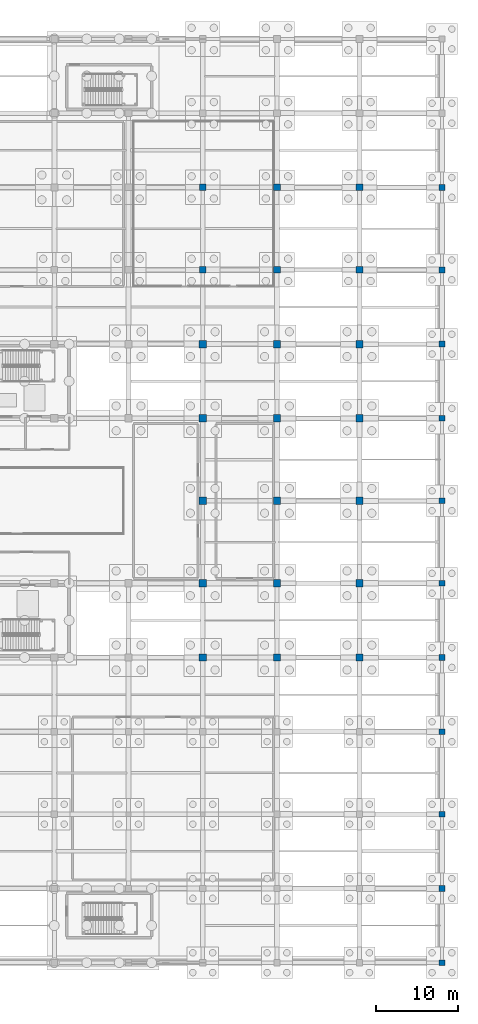
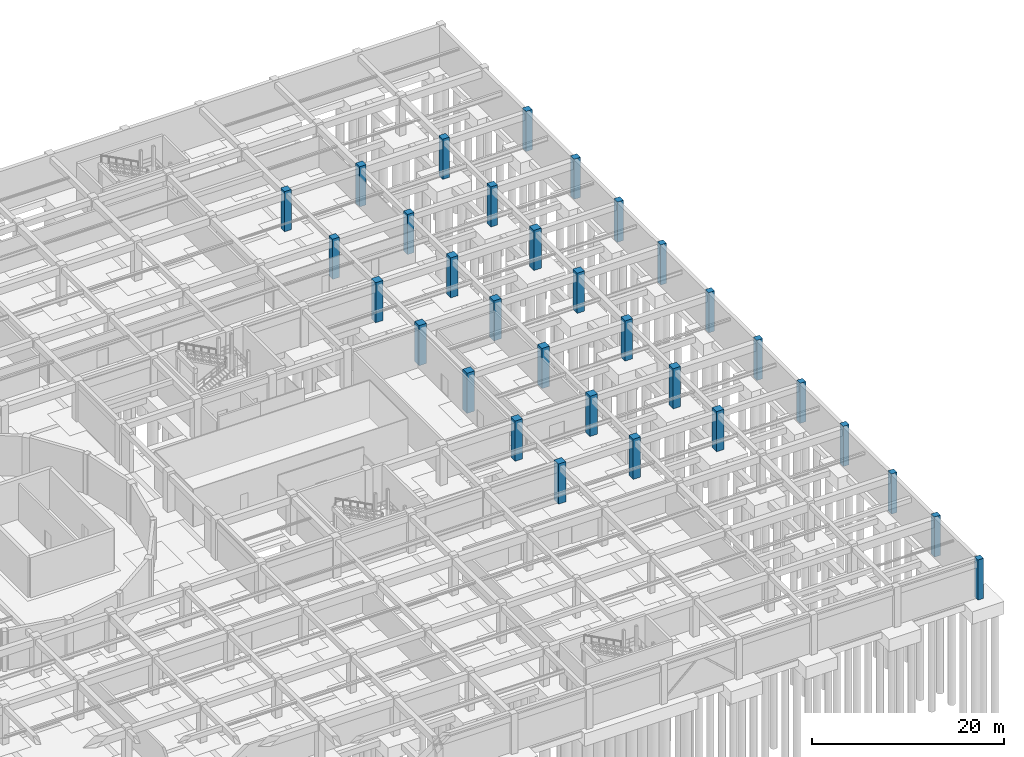
# One storey, part 26 of 62: 32 columns.
"""IFC4 building model written with IfcOpenShell, lengths in metres."""

from ifc_helpers import new_model, si_unit, direction, frame, origin, origin_2d, place, context, subcontext, project, spatial, rectangle, extrude, material, material_profile, profile_set, type_object, element, save


model = new_model("IFC4")

# Units and contexts
model_context = context("Model", 3, precision=1e-05, world=origin(), true_north=direction((0.0, 1.0)))
body_context = subcontext(model_context, "Body", "Model", "MODEL_VIEW")
ifc_project = project(units=[si_unit("LENGTHUNIT", "METRE"), si_unit("AREAUNIT", "SQUARE_METRE"), si_unit("VOLUMEUNIT", "CUBIC_METRE"), si_unit("PLANEANGLEUNIT", "RADIAN"), si_unit("MASSUNIT", "GRAM", prefix="KILO")], contexts=[model_context])

# Site, building, storey
site_placement = place(None, origin())
site = spatial("IfcSite", under=ifc_project, at=site_placement, CompositionType="ELEMENT")
building_placement = place(site_placement, origin())
building = spatial("IfcBuilding", under=site, at=building_placement, Name="Miravela Opera House", CompositionType="ELEMENT")
storey_placement = place(building_placement, frame((0.0, 0.0, -5.10009765625)))
storey = spatial("IfcBuildingStorey", under=building, at=storey_placement, Name="B01", CompositionType="ELEMENT", Elevation=-5.10009765625)

# Columns
ifc_material_1 = material(Name="Concrete C35/45", Category="concrete")
ifc_material_profile_1 = material_profile(ifc_material_1, rectangle(XDim=0.699951171875, YDim=0.699951171875, at=origin_2d()), Name="RC-COL-700X700")
ifc_profile_set_1 = profile_set([ifc_material_profile_1])
column_type_1 = type_object("IfcColumnType", Name="STR-COL-RC700", PredefinedType="COLUMN", material=ifc_profile_set_1)
for number, where, z_axis, x_axis, name in (
    (1, (164.0, 0.0, 0.0), (0.0, 0.0, 1.0), (1.0, 0.0, 0.0), "Column C-19A (B01)"),
    (2, (164.0, 9.0, 0.0), (0.0, 0.0, 1.0), (1.0, 0.0, 0.0), "Column C-19B (B01)"),
    (3, (164.0, 18.0, 0.0), (0.0, 0.0, 1.0), (1.0, 0.0, 0.0), "Column C-19C (B01)"),
    (4, (164.0, 28.0, 0.0), (0.0, 0.0, 1.0), (1.0, 0.0, 0.0), "Column C-19D (B01)"),
    (5, (164.0, 37.0, 0.0), (0.0, 0.0, 1.0), (1.0, 0.0, 0.0), "Column C-19E (B01)"),
    (6, (164.0, 46.0, 0.0), (0.0, 0.0, 1.0), (1.0, 0.0, 0.0), "Column C-19F (B01)"),
    (7, (164.0, 56.0, 0.0), (0.0, 0.0, 1.0), (1.0, 0.0, 0.0), "Column C-19G (B01)"),
    (8, (164.0, 66.0, 0.0), (0.0, 0.0, 1.0), (1.0, 0.0, 0.0), "Column C-19H (B01)"),
):
    element("IfcColumn", number, at=place(storey_placement, frame(where, z_axis=z_axis, x_axis=x_axis)), inside=storey, type_object=column_type_1, Name=name, PredefinedType="COLUMN", context=body_context, shape_type="SweptSolid", body=[
        extrude(rectangle(XDim=0.699951171875, YDim=0.699951171875, at=origin_2d()), origin(), (0.0, 0.0, 1.0), 5.10009765625),
    ])
ifc_material_profile_2 = material_profile(ifc_material_1, rectangle(XDim=0.75, YDim=0.75, at=origin_2d()), Name="RC-COL-750X750")
ifc_profile_set_2 = profile_set([ifc_material_profile_2])
column_type_2 = type_object("IfcColumnType", Name="STR-COL-RC750", PredefinedType="COLUMN", material=ifc_profile_set_2)
for number, where, z_axis, x_axis, name in (
    (9, (164.0, 75.0, 0.0), (0.0, 0.0, 1.0), (1.0, 0.0, 0.0), "Column C-19I (B01)"),
    (10, (164.0, 84.0, 0.0), (0.0, 0.0, 1.0), (1.0, 0.0, 0.0), "Column C-19J (B01)"),
    (11, (164.0, 94.0, 0.0), (0.0, 0.0, 1.0), (1.0, 0.0, 0.0), "Column C-19K (B01)"),
):
    element("IfcColumn", number, at=place(storey_placement, frame(where, z_axis=z_axis, x_axis=x_axis)), inside=storey, type_object=column_type_2, Name=name, PredefinedType="COLUMN", context=body_context, shape_type="SweptSolid", body=[
        extrude(rectangle(XDim=0.75, YDim=0.75, at=origin_2d()), origin(), (0.0, 0.0, 1.0), 5.10009765625),
    ])
ifc_material_2 = material(Name="Concrete C40/50", Category="concrete")
ifc_material_profile_3 = material_profile(ifc_material_2, rectangle(XDim=0.800048828125, YDim=0.800048828125, at=origin_2d()), Name="RC-COL-800X800")
ifc_profile_set_3 = profile_set([ifc_material_profile_3])
column_type_3 = type_object("IfcColumnType", Name="STR-COL-RC800", PredefinedType="COLUMN", material=ifc_profile_set_3)
for number, where, z_axis, x_axis, name in (
    (12, (135.0, 84.0, 0.0), (0.0, 0.0, 1.0), (1.0, 0.0, 0.0), "Column C-16J (B01)"),
    (13, (135.0, 94.0, 0.0), (0.0, 0.0, 1.0), (1.0, 0.0, 0.0), "Column C-16K (B01)"),
    (14, (144.0, 84.0, 0.0), (0.0, 0.0, 1.0), (1.0, 0.0, 0.0), "Column C-17J (B01)"),
    (15, (144.0, 94.0, 0.0), (0.0, 0.0, 1.0), (1.0, 0.0, 0.0), "Column C-17K (B01)"),
    (16, (154.0, 84.0, 0.0), (0.0, 0.0, 1.0), (1.0, 0.0, 0.0), "Column C-18J (B01)"),
    (17, (154.0, 94.0, 0.0), (0.0, 0.0, 1.0), (1.0, 0.0, 0.0), "Column C-18K (B01)"),
):
    element("IfcColumn", number, at=place(storey_placement, frame(where, z_axis=z_axis, x_axis=x_axis)), inside=storey, type_object=column_type_3, Name=name, PredefinedType="COLUMN", context=body_context, shape_type="SweptSolid", body=[
        extrude(rectangle(XDim=0.800048828125, YDim=0.800048828125, at=origin_2d()), origin(), (0.0, 0.0, 1.0), 5.10009765625),
    ])
ifc_material_profile_4 = material_profile(ifc_material_2, rectangle(XDim=0.89990234375, YDim=0.89990234375, at=origin_2d()), Name="RC-COL-900X900")
ifc_profile_set_4 = profile_set([ifc_material_profile_4])
column_type_4 = type_object("IfcColumnType", Name="STR-COL-RC900", PredefinedType="COLUMN", material=ifc_profile_set_4)
for number, where, z_axis, x_axis, name in (
    (18, (135.0, 37.0, 0.0), (0.0, 0.0, 1.0), (1.0, 0.0, 0.0), "Column C-16E (B01)"),
    (19, (135.0, 46.0, 0.0), (0.0, 0.0, 1.0), (1.0, 0.0, 0.0), "Column C-16F (B01)"),
    (20, (135.0, 56.0, 0.0), (0.0, 0.0, 1.0), (1.0, 0.0, 0.0), "Column C-16G (B01)"),
    (21, (135.0, 66.0, 0.0), (0.0, 0.0, 1.0), (1.0, 0.0, 0.0), "Column C-16H (B01)"),
    (22, (135.0, 75.0, 0.0), (0.0, 0.0, 1.0), (1.0, 0.0, 0.0), "Column C-16I (B01)"),
    (23, (144.0, 37.0, 0.0), (0.0, 0.0, 1.0), (1.0, 0.0, 0.0), "Column C-17E (B01)"),
    (24, (144.0, 46.0, 0.0), (0.0, 0.0, 1.0), (1.0, 0.0, 0.0), "Column C-17F (B01)"),
    (25, (144.0, 56.0, 0.0), (0.0, 0.0, 1.0), (1.0, 0.0, 0.0), "Column C-17G (B01)"),
    (26, (144.0, 66.0, 0.0), (0.0, 0.0, 1.0), (1.0, 0.0, 0.0), "Column C-17H (B01)"),
    (27, (144.0, 75.0, 0.0), (0.0, 0.0, 1.0), (1.0, 0.0, 0.0), "Column C-17I (B01)"),
    (28, (154.0, 37.0, 0.0), (0.0, 0.0, 1.0), (1.0, 0.0, 0.0), "Column C-18E (B01)"),
    (29, (154.0, 46.0, 0.0), (0.0, 0.0, 1.0), (1.0, 0.0, 0.0), "Column C-18F (B01)"),
    (30, (154.0, 56.0, 0.0), (0.0, 0.0, 1.0), (1.0, 0.0, 0.0), "Column C-18G (B01)"),
    (31, (154.0, 66.0, 0.0), (0.0, 0.0, 1.0), (1.0, 0.0, 0.0), "Column C-18H (B01)"),
    (32, (154.0, 75.0, 0.0), (0.0, 0.0, 1.0), (1.0, 0.0, 0.0), "Column C-18I (B01)"),
):
    element("IfcColumn", number, at=place(storey_placement, frame(where, z_axis=z_axis, x_axis=x_axis)), inside=storey, type_object=column_type_4, Name=name, PredefinedType="COLUMN", context=body_context, shape_type="SweptSolid", body=[
        extrude(rectangle(XDim=0.89990234375, YDim=0.89990234375, at=origin_2d()), origin(), (0.0, 0.0, 1.0), 5.10009765625),
    ])

save(model, "model.ifc")
